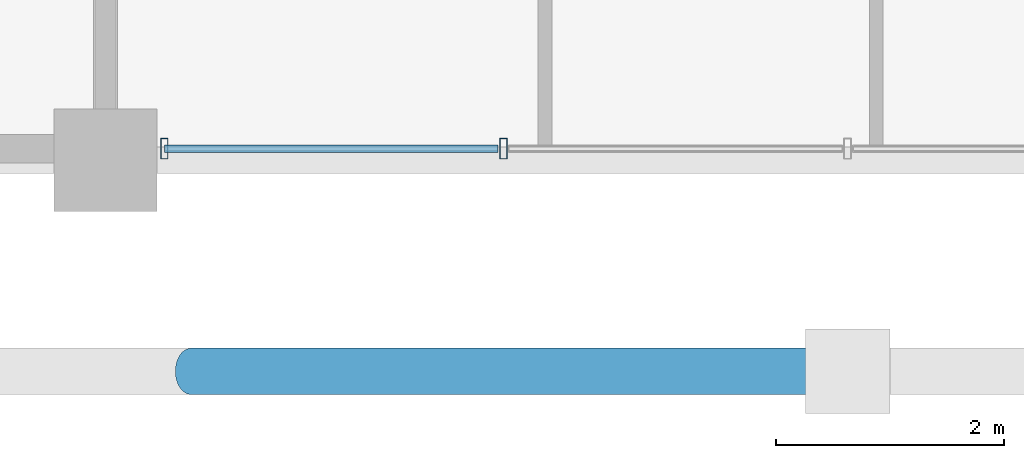
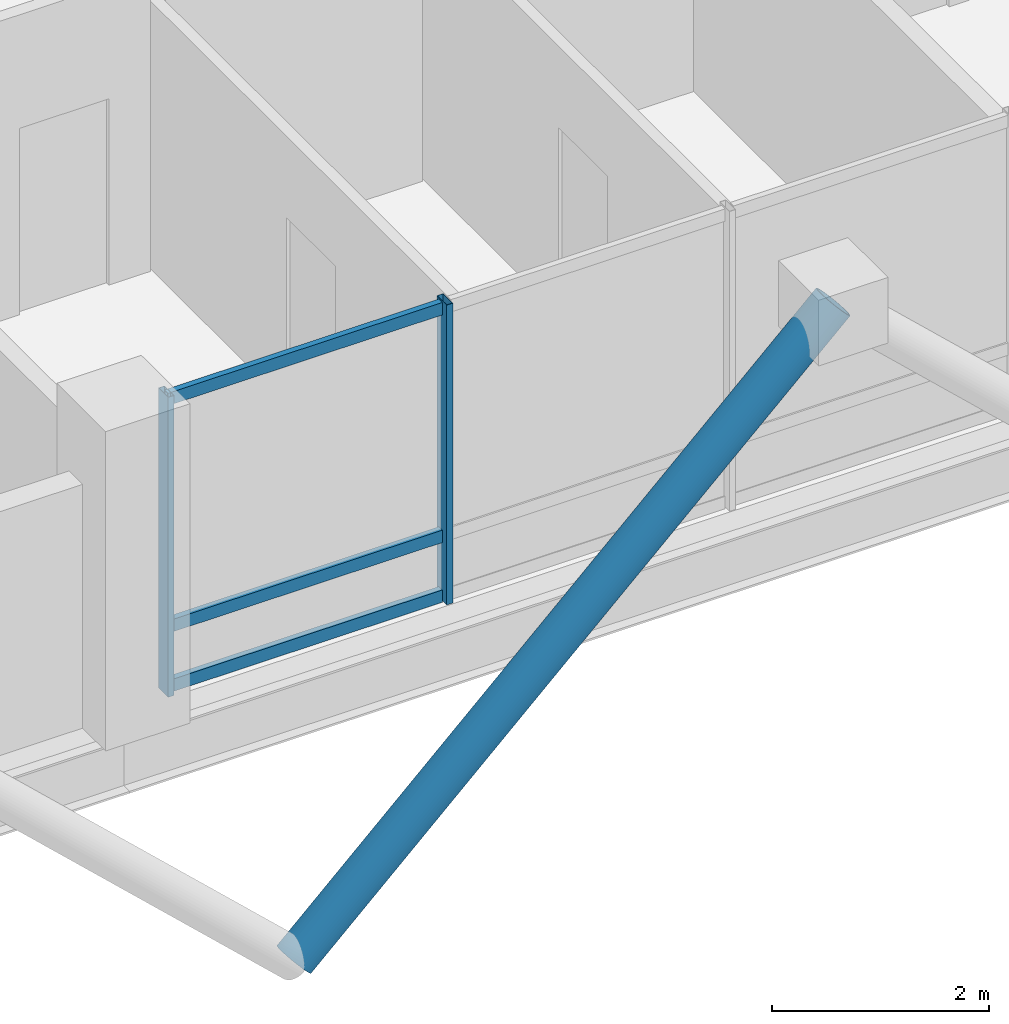
# One storey, part 2 of 23: 6 members, 1 element without a shape of its own.
"""IFC4 building model written with IfcOpenShell, lengths in metres."""

from ifc_helpers import new_model, si_unit, direction, frame, origin, origin_2d, place, context, subcontext, project, spatial, hollow_rectangle, hollow_circle, extrude, material, layer, layer_set, material_profile, profile_set, type_object, element, aggregate, save


model = new_model("IFC4")

# Units and contexts
model_context = context("Model", 3, precision=1e-05, world=origin(), true_north=direction((0.0, 1.0)))
body_context = subcontext(model_context, "Body", "Model", "MODEL_VIEW")
ifc_project = project(units=[si_unit("LENGTHUNIT", "METRE"), si_unit("AREAUNIT", "SQUARE_METRE"), si_unit("VOLUMEUNIT", "CUBIC_METRE"), si_unit("PLANEANGLEUNIT", "RADIAN"), si_unit("MASSUNIT", "GRAM", prefix="KILO")], contexts=[model_context])

# Site, building, storey
site_placement = place(None, origin())
site = spatial("IfcSite", under=ifc_project, at=site_placement, CompositionType="ELEMENT")
building_placement = place(site_placement, origin())
building = spatial("IfcBuilding", under=site, at=building_placement, Name="Barlavira Tower and Art Museum", CompositionType="ELEMENT")
storey_placement = place(building_placement, frame((0.0, 0.0, 236.699951171875)))
storey = spatial("IfcBuildingStorey", under=building, at=storey_placement, Name="L61", CompositionType="ELEMENT", Elevation=236.699951171875)

# Curtain wall, members
ifc_material_1 = material(Name="Low-iron coastal laminated glass", Category="glass")
ifc_layer = layer(ifc_material_1, 0.2099609375, Name="Low-iron coastal laminated glass")
ifc_layer_set = layer_set([ifc_layer], Name="Low-iron coastal laminated glass")
curtain_wall_type = type_object("IfcCurtainWallType", Name="Pale-Metal Unitised Curtain Wall Zone 4", PredefinedType="NOTDEFINED", material=ifc_layer_set)
curtain_wall_placement = place(storey_placement, origin())
curtain_wall = element("IfcCurtainWall", 1, at=curtain_wall_placement, inside=storey, type_object=curtain_wall_type, Name="L61 Curtain Wall CW4-L61-S-B2", PredefinedType="NOTDEFINED")
ifc_material_2 = material(Name="Pale anodised aluminium", Category="aluminium")
ifc_material_profile_1 = material_profile(ifc_material_2, hollow_rectangle(XDim=0.06494140625, YDim=0.179931640625, WallThickness=0.00390625, at=origin_2d()), Name="ALU-MULL 65x180x4")
ifc_profile_set_1 = profile_set([ifc_material_profile_1], Name="Pale anodised aluminium")
member_type_1 = type_object("IfcMemberType", Name="Curtain Wall Pale-Metal Mullion 65x180", PredefinedType="MULLION", material=ifc_profile_set_1)
member_1_placement = place(storey_placement, frame((-5.985107421875, -19.89990234375, 0.0), z_axis=(0.0, 0.0, 1.0), x_axis=(1.0, 0.0, 0.0)))
member_1 = element("IfcMember", 2, at=member_1_placement, type_object=member_type_1, Name="CW4-L61-S-B2 Mullion 0", PredefinedType="MULLION", context=body_context, shape_type="SweptSolid", body=[
    extrude(hollow_rectangle(XDim=0.06494140625, YDim=0.179931640625, WallThickness=0.00390625, at=origin_2d()), origin(), (0.0, 0.0, 1.0), 3.380126953125),
])
member_2_placement = place(storey_placement, frame((-3.014892578125, -19.89990234375, 0.0), z_axis=(0.0, 0.0, 1.0), x_axis=(1.0, 0.0, 0.0)))
member_2 = element("IfcMember", 3, at=member_2_placement, type_object=member_type_1, Name="CW4-L61-S-B2 Mullion 1", PredefinedType="MULLION", context=body_context, shape_type="SweptSolid", body=[
    extrude(hollow_rectangle(XDim=0.06494140625, YDim=0.179931640625, WallThickness=0.00390625, at=origin_2d()), origin(), (0.0, 0.0, 1.0), 3.380126953125),
])
ifc_material_profile_2 = material_profile(ifc_material_2, hollow_rectangle(XDim=0.06494140625, YDim=0.139892578125, WallThickness=0.00390625, at=origin_2d()), Name="ALU-TRAN 65x140x4")
ifc_profile_set_2 = profile_set([ifc_material_profile_2], Name="Pale anodised aluminium")
member_type_2 = type_object("IfcMemberType", Name="Curtain Wall Pale-Metal Transom 65x140", PredefinedType="USERDEFINED", material=ifc_profile_set_2)
member_3_placement = place(storey_placement, frame((-5.985107421875, -19.89990234375, 0.070068359375), z_axis=(1.0, 0.0, 0.0), x_axis=(0.0, 1.0, 0.0)))
member_3 = element("IfcMember", 4, at=member_3_placement, type_object=member_type_2, Name="CW4-L61-S-B2 Transom 0.1", ObjectType="TRANSOM", PredefinedType="USERDEFINED", context=body_context, shape_type="SweptSolid", body=[
    extrude(hollow_rectangle(XDim=0.06494140625, YDim=0.139892578125, WallThickness=0.00390625, at=origin_2d()), origin(), (0.0, 0.0, 1.0), 2.925048828125),
])
member_4_placement = place(storey_placement, frame((-5.985107421875, -19.89990234375, 0.744140625), z_axis=(1.0, 0.0, 0.0), x_axis=(0.0, 1.0, 0.0)))
member_4 = element("IfcMember", 5, at=member_4_placement, type_object=member_type_2, Name="CW4-L61-S-B2 Transom 0.2", ObjectType="TRANSOM", PredefinedType="USERDEFINED", context=body_context, shape_type="SweptSolid", body=[
    extrude(hollow_rectangle(XDim=0.06494140625, YDim=0.139892578125, WallThickness=0.00390625, at=origin_2d()), origin(), (0.0, 0.0, 1.0), 2.925048828125),
])
member_5_placement = place(storey_placement, frame((-5.985107421875, -19.89990234375, 3.31005859375), z_axis=(1.0, 0.0, 0.0), x_axis=(0.0, 1.0, 0.0)))
member_5 = element("IfcMember", 6, at=member_5_placement, type_object=member_type_2, Name="CW4-L61-S-B2 Transom 0.3", ObjectType="TRANSOM", PredefinedType="USERDEFINED", context=body_context, shape_type="SweptSolid", body=[
    extrude(hollow_rectangle(XDim=0.06494140625, YDim=0.139892578125, WallThickness=0.00390625, at=origin_2d()), origin(), (0.0, 0.0, 1.0), 2.925048828125),
])
aggregate(curtain_wall, [member_1, member_2, member_3, member_4, member_5])

# Member
ifc_material_3 = material(Name="Steel S355", Category="steel")
ifc_material_profile_3 = material_profile(ifc_material_3, hollow_circle(Radius=0.203125, WallThickness=0.01611328125, at=origin_2d()), Name="CHS 406.4x16.0")
ifc_profile_set_3 = profile_set([ifc_material_profile_3], Name="Steel S355")
member_type_3 = type_object("IfcMemberType", Name="Pale-Metal Exoskeleton Diagrid Tube CHS 406x16 Steel S355", PredefinedType="BRACE", material=ifc_profile_set_3)
member_6_placement = place(storey_placement, frame((-5.75, -21.85009765625, -1.919921875), z_axis=(0.728950095515, 0.0, 0.684566839869), x_axis=(0.0, 1.0, 0.0)))
element("IfcMember", 7, at=member_6_placement, inside=storey, type_object=member_type_3, Name="L61 Exoskeleton Diagrid Tube S", PredefinedType="BRACE", context=body_context, shape_type="SweptSolid", body=[
    extrude(hollow_circle(Radius=0.203125, WallThickness=0.01611328125, at=origin_2d()), origin(), (0.0, 0.0, 1.0), 7.887939453125),
])

save(model, "model.ifc")
